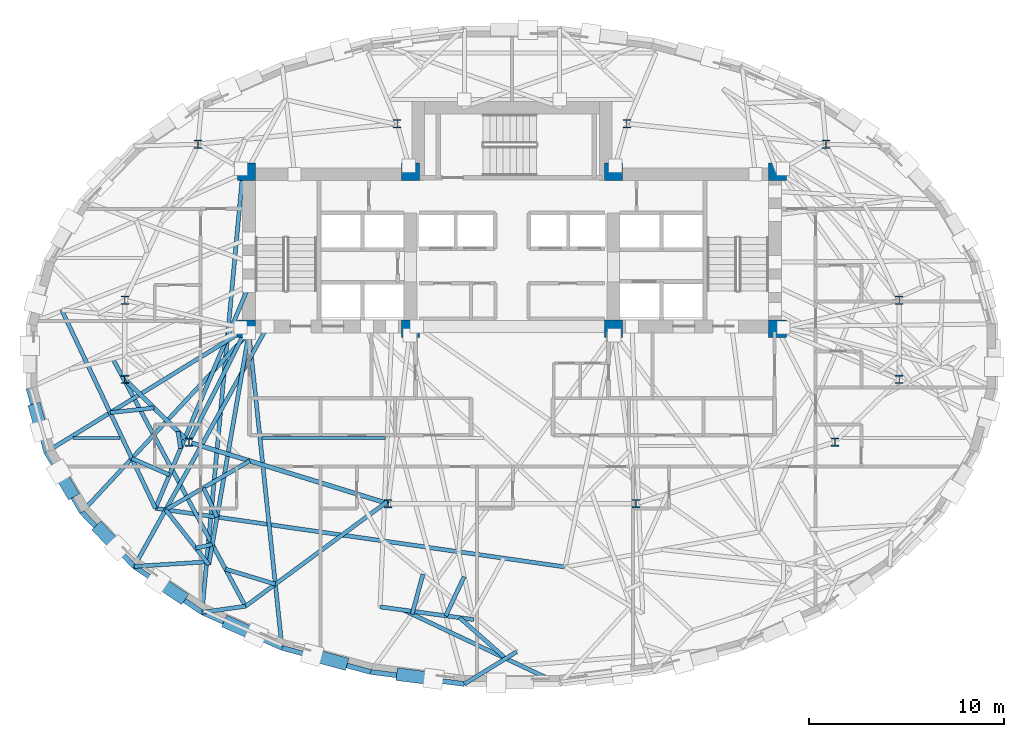
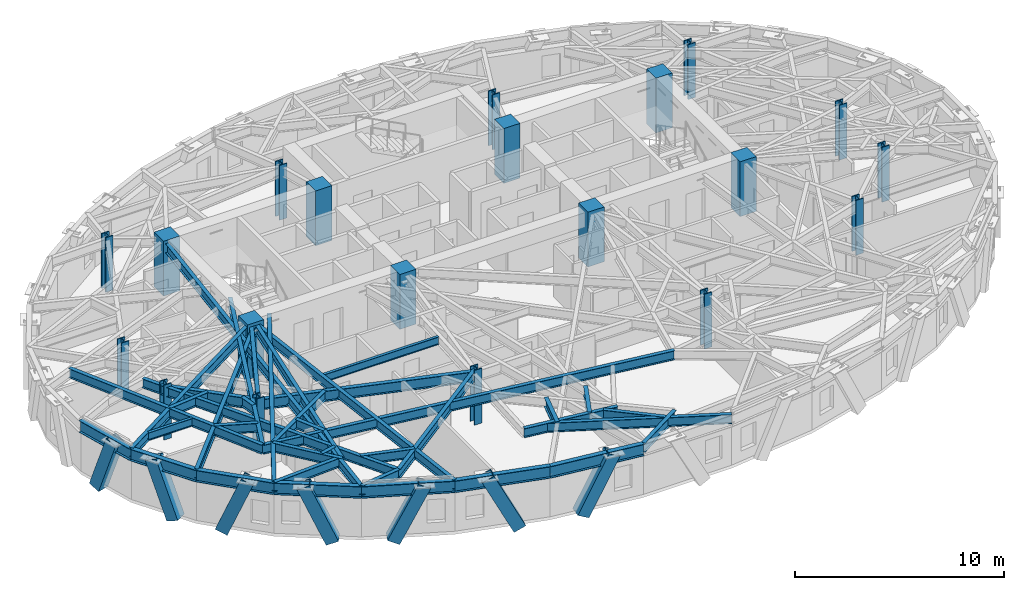
# One storey, part 1 of 15: 39 beams, 20 columns, 7 members.
"""IFC4 building model written with IfcOpenShell, lengths in metres."""

from ifc_helpers import new_model, si_unit, direction, frame, origin, origin_2d, place, context, subcontext, project, spatial, rectangle, hollow_rectangle, i_section, extrude, material, material_profile, profile_set, type_object, element, save


model = new_model("IFC4")

# Units and contexts
model_context = context("Model", 3, precision=1e-05, world=origin(), true_north=direction((0.0, 1.0)))
body_context = subcontext(model_context, "Body", "Model", "MODEL_VIEW")
ifc_project = project(units=[si_unit("LENGTHUNIT", "METRE"), si_unit("AREAUNIT", "SQUARE_METRE"), si_unit("VOLUMEUNIT", "CUBIC_METRE"), si_unit("PLANEANGLEUNIT", "RADIAN"), si_unit("MASSUNIT", "GRAM", prefix="KILO")], contexts=[model_context])

# Site, building, storey
site_placement = place(None, origin())
site = spatial("IfcSite", under=ifc_project, at=site_placement, CompositionType="ELEMENT")
building_placement = place(site_placement, origin())
building = spatial("IfcBuilding", under=site, at=building_placement, Name="Keldmark Tower", CompositionType="ELEMENT")
storey_placement = place(building_placement, frame((0.0, 0.0, 159.800048828125)))
storey = spatial("IfcBuildingStorey", under=building, at=storey_placement, Name="L43", CompositionType="ELEMENT", Elevation=159.800048828125)

# Columns
ifc_material_1 = material(Name="Concrete C50/60", Category="concrete")
ifc_material_profile_1 = material_profile(ifc_material_1, rectangle(XDim=0.89990234375, YDim=0.89990234375, at=origin_2d()), Name="RC900X900")
ifc_profile_set_1 = profile_set([ifc_material_profile_1], Name="Concrete C50/60")
column_type_1 = type_object("IfcColumnType", Name="Core Boundary Column RC900", PredefinedType="COLUMN", material=ifc_profile_set_1)
for number, where, z_axis, x_axis, name in (
    (1, (-13.60009765625, 1.39990234375, 0.0), (0.0, 0.0, 1.0), (1.0, 0.0, 0.0), "L43 Core Boundary Column CC-W1"),
    (2, (-13.60009765625, 9.449951171875, 0.0), (0.0, 0.0, 1.0), (1.0, 0.0, 0.0), "L43 Core Boundary Column CC-W2"),
    (3, (-5.199951171875, 1.39990234375, 0.0), (0.0, 0.0, 1.0), (1.0, 0.0, 0.0), "L43 Core Boundary Column CC-W3"),
    (4, (-5.199951171875, 9.449951171875, 0.0), (0.0, 0.0, 1.0), (1.0, 0.0, 0.0), "L43 Core Boundary Column CC-W4"),
    (5, (5.199951171875, 1.39990234375, 0.0), (0.0, 0.0, 1.0), (1.0, 0.0, 0.0), "L43 Core Boundary Column CC-E1"),
    (6, (5.199951171875, 9.449951171875, 0.0), (0.0, 0.0, 1.0), (1.0, 0.0, 0.0), "L43 Core Boundary Column CC-E2"),
    (7, (13.60009765625, 1.39990234375, 0.0), (0.0, 0.0, 1.0), (1.0, 0.0, 0.0), "L43 Core Boundary Column CC-E3"),
    (8, (13.60009765625, 9.449951171875, 0.0), (0.0, 0.0, 1.0), (1.0, 0.0, 0.0), "L43 Core Boundary Column CC-E4"),
):
    element("IfcColumn", number, at=place(storey_placement, frame(where, z_axis=z_axis, x_axis=x_axis)), inside=storey, type_object=column_type_1, Name=name, PredefinedType="COLUMN", context=body_context, shape_type="SweptSolid", body=[
        extrude(rectangle(XDim=0.89990234375, YDim=0.89990234375, at=origin_2d()), origin(), (0.0, 0.0, 1.0), 3.199951171875),
    ])
ifc_material_2 = material(Name="Steel ASTM A992 Grade 50", Category="steel")
ifc_material_profile_2 = material_profile(ifc_material_2, i_section(OverallWidth=0.412109375, OverallDepth=0.43505859375, WebThickness=0.035888671875, FlangeThickness=0.057373046875, at=origin_2d()), Name="W14X311")
ifc_profile_set_2 = profile_set([ifc_material_profile_2], Name="Steel ASTM A992 Grade 50")
column_type_2 = type_object("IfcColumnType", Name="Tower Gravity Column W14X311", PredefinedType="COLUMN", material=ifc_profile_set_2)
for number, where, z_axis, x_axis, name in (
    (9, (19.828369140625, 2.869140625, 0.0), (0.0, 0.0, 1.0), (1.0, 0.0, 0.0), "L43 Tower Gravity Column TC-E1"),
    (10, (16.08154296875, 10.861083984375, 0.0), (0.0, 0.0, 1.0), (1.0, 0.0, 0.0), "L43 Tower Gravity Column TC-E4"),
    (11, (5.880126953125, 11.915283203125, 0.0), (0.0, 0.0, 1.0), (1.0, 0.0, 0.0), "L43 Tower Gravity Column TC-N2"),
    (12, (-5.880126953125, 11.915283203125, 0.0), (0.0, 0.0, 1.0), (1.0, 0.0, 0.0), "L43 Tower Gravity Column TC-N1"),
    (13, (-16.08154296875, 10.861083984375, 0.0), (0.0, 0.0, 1.0), (1.0, 0.0, 0.0), "L43 Tower Gravity Column TC-W4"),
    (14, (-19.828369140625, 2.869140625, 0.0), (0.0, 0.0, 1.0), (1.0, 0.0, 0.0), "L43 Tower Gravity Column TC-W1"),
    (15, (-19.828369140625, -1.189208984375, 0.0), (0.0, 0.0, 1.0), (1.0, 0.0, 0.0), "L43 Tower Gravity Column TC-W5"),
    (16, (-16.546630859375, -4.3984375, 0.0), (0.0, 0.0, 1.0), (1.0, 0.0, 0.0), "L43 Tower Gravity Column TC-W2"),
    (17, (-6.351318359375, -7.546142578125, 0.0), (0.0, 0.0, 1.0), (1.0, 0.0, 0.0), "L43 Tower Gravity Column TC-W3"),
    (18, (6.351318359375, -7.546142578125, 0.0), (0.0, 0.0, 1.0), (1.0, 0.0, 0.0), "L43 Tower Gravity Column TC-E3"),
    (19, (16.546630859375, -4.3984375, 0.0), (0.0, 0.0, 1.0), (1.0, 0.0, 0.0), "L43 Tower Gravity Column TC-E2"),
    (20, (19.828369140625, -1.189208984375, 0.0), (0.0, 0.0, 1.0), (1.0, 0.0, 0.0), "L43 Tower Gravity Column TC-E5"),
):
    element("IfcColumn", number, at=place(storey_placement, frame(where, z_axis=z_axis, x_axis=x_axis)), inside=storey, type_object=column_type_2, Name=name, PredefinedType="COLUMN", context=body_context, shape_type="SweptSolid", body=[
        extrude(i_section(OverallWidth=0.412109375, OverallDepth=0.43505859375, WebThickness=0.035888671875, FlangeThickness=0.057373046875, at=origin_2d()), origin(), (0.0, 0.0, 1.0), 3.199951171875),
    ])

# Beams
ifc_material_3 = material(Name="Steel ASTM A992 Grade 50", Category="steel")
ifc_material_profile_3 = material_profile(ifc_material_3, i_section(OverallWidth=0.153076171875, OverallDepth=0.455078125, WebThickness=0.008056640625, FlangeThickness=0.01318359375, at=origin_2d()), Name="W18X40")
ifc_profile_set_3 = profile_set([ifc_material_profile_3], Name="Steel ASTM A992 Grade 50")
beam_type_1 = type_object("IfcBeamType", Name="Composite Floor Joist W18X40", PredefinedType="JOIST", material=ifc_profile_set_3)
beam_1_placement = place(storey_placement, frame((-22.488525390625, -4.179931640625, 2.79248046875), z_axis=(1.0, 0.0, 0.0), x_axis=(0.0, 1.0, 0.0)))
element("IfcBeam", 21, at=beam_1_placement, inside=storey, type_object=beam_type_1, Name="L43 Composite Floor Joist J01", PredefinedType="JOIST", context=body_context, shape_type="SweptSolid", body=[
    extrude(i_section(OverallWidth=0.153076171875, OverallDepth=0.455078125, WebThickness=0.008056640625, FlangeThickness=0.01318359375, at=origin_2d()), origin(), (0.0, 0.0, 1.0), 2.413330078125),
])
beam_2_placement = place(storey_placement, frame((-12.81298828125, -4.179931640625, 2.79248046875), z_axis=(1.0, 0.0, 0.0), x_axis=(0.0, 1.0, 0.0)))
element("IfcBeam", 22, at=beam_2_placement, inside=storey, type_object=beam_type_1, Name="L43 Composite Floor Joist J02", PredefinedType="JOIST", context=body_context, shape_type="SweptSolid", body=[
    extrude(i_section(OverallWidth=0.153076171875, OverallDepth=0.455078125, WebThickness=0.008056640625, FlangeThickness=0.01318359375, at=origin_2d()), origin(), (0.0, 0.0, 1.0), 6.324951171875),
])

# Members
ifc_material_4 = material(Name="Steel ASTM A572 Grade 50", Category="steel")
ifc_material_profile_4 = material_profile(ifc_material_4, hollow_rectangle(XDim=0.64990234375, YDim=0.64990234375, WallThickness=0.0400390625, at=origin_2d()), Name="BOX650X650X40")
ifc_profile_set_4 = profile_set([ifc_material_profile_4], Name="Steel ASTM A572 Grade 50")
member_type = type_object("IfcMemberType", Name="Diagrid Zone 3 Brace BOX650X650X40", PredefinedType="BRACE", material=ifc_profile_set_4)
member_1_placement = place(storey_placement, frame((-24.4033203125, -2.731689453125, -0.260009765625), z_axis=(0.090395452008, -0.323152823602, 0.942019593668), x_axis=(0.963031569275, 0.269388560595, 0.0)))
element("IfcMember", 23, at=member_1_placement, inside=storey, type_object=member_type, Name="L43 Perimeter Diagrid Brace 09A", PredefinedType="BRACE", context=body_context, shape_type="SweptSolid", body=[
    extrude(hollow_rectangle(XDim=0.64990234375, YDim=0.64990234375, WallThickness=0.0400390625, at=origin_2d()), origin(), (0.0, 0.0, 1.0), 3.3544921875),
])
member_2_placement = place(storey_placement, frame((-22.586181640625, -6.94091796875, -0.260009765625), z_axis=(-0.179634339939, 0.303896484951, 0.935616604357), x_axis=(-0.860853140724, -0.508853485894, 0.0)))
element("IfcMember", 24, at=member_2_placement, inside=storey, type_object=member_type, Name="L43 Perimeter Diagrid Brace 09B", PredefinedType="BRACE", context=body_context, shape_type="SweptSolid", body=[
    extrude(hollow_rectangle(XDim=0.64990234375, YDim=0.64990234375, WallThickness=0.0400390625, at=origin_2d()), origin(), (0.0, 0.0, 1.0), 3.37744140625),
])
member_3_placement = place(storey_placement, frame((-21.08837890625, -8.883056640625, -0.260009765625), z_axis=(0.262483667506, -0.271497824526, 0.925954240538), x_axis=(0.718941040515, 0.695071061304, 0.0)))
element("IfcMember", 25, at=member_3_placement, inside=storey, type_object=member_type, Name="L43 Perimeter Diagrid Brace 10A", PredefinedType="BRACE", context=body_context, shape_type="SweptSolid", body=[
    extrude(hollow_rectangle(XDim=0.64990234375, YDim=0.64990234375, WallThickness=0.0400390625, at=origin_2d()), origin(), (0.0, 0.0, 1.0), 3.41259765625),
])
member_4_placement = place(storey_placement, frame((-16.990234375, -12.294677734375, -0.260009765625), z_axis=(-0.334787205548, 0.226960005112, 0.914552722964), x_axis=(-0.56113396057, -0.827725001613, 0.0)))
element("IfcMember", 26, at=member_4_placement, inside=storey, type_object=member_type, Name="L43 Perimeter Diagrid Brace 10B", PredefinedType="BRACE", context=body_context, shape_type="SweptSolid", body=[
    extrude(hollow_rectangle(XDim=0.64990234375, YDim=0.64990234375, WallThickness=0.0400390625, at=origin_2d()), origin(), (0.0, 0.0, 1.0), 3.455078125),
])
member_5_placement = place(storey_placement, frame((-14.474853515625, -13.677490234375, -0.260009765625), z_axis=(0.390998466283, -0.173676225334, 0.903856608162), x_axis=(0.405941576502, 0.913899029689, 0.0)))
element("IfcMember", 27, at=member_5_placement, inside=storey, type_object=member_type, Name="L43 Perimeter Diagrid Brace 11A", PredefinedType="BRACE", context=body_context, shape_type="SweptSolid", body=[
    extrude(hollow_rectangle(XDim=0.64990234375, YDim=0.64990234375, WallThickness=0.0400390625, at=origin_2d()), origin(), (0.0, 0.0, 1.0), 3.49609375),
])
member_6_placement = place(storey_placement, frame((-8.72265625, -15.707763671875, -0.260009765625), z_axis=(-0.429124287044, 0.116606099608, 0.895687090341), x_axis=(-0.262221871512, -0.965007611421, 0.0)))
element("IfcMember", 28, at=member_6_placement, inside=storey, type_object=member_type, Name="L43 Perimeter Diagrid Brace 11B", PredefinedType="BRACE", context=body_context, shape_type="SweptSolid", body=[
    extrude(hollow_rectangle(XDim=0.64990234375, YDim=0.64990234375, WallThickness=0.0400390625, at=origin_2d()), origin(), (0.0, 0.0, 1.0), 3.52783203125),
])
member_7_placement = place(storey_placement, frame((-5.620361328125, -16.31982421875, -0.260009765625), z_axis=(0.450833688803, -0.057945651957, 0.890725146417), x_axis=(0.127481315617, 0.991840972217, 0.0)))
element("IfcMember", 29, at=member_7_placement, inside=storey, type_object=member_type, Name="L43 Perimeter Diagrid Brace 12A", PredefinedType="BRACE", context=body_context, shape_type="SweptSolid", body=[
    extrude(hollow_rectangle(XDim=0.64990234375, YDim=0.64990234375, WallThickness=0.0400390625, at=origin_2d()), origin(), (0.0, 0.0, 1.0), 3.547607421875),
])

# Beams
ifc_material_5 = material(Name="Steel ASTM A992 Grade 50", Category="steel")
ifc_material_profile_5 = material_profile(ifc_material_5, i_section(OverallWidth=0.22900390625, OverallDepth=0.612060546875, WebThickness=0.011962890625, FlangeThickness=0.01953125, at=origin_2d()), Name="W24X84")
ifc_profile_set_5 = profile_set([ifc_material_profile_5], Name="Steel ASTM A992 Grade 50")
beam_type_2 = type_object("IfcBeamType", Name="Primary Floor Girder W24X84", PredefinedType="BEAM", material=ifc_profile_set_5)
beam_3_placement = place(storey_placement, frame((-19.728271484375, -1.287109375, 2.7138671875), z_axis=(0.714964509815, -0.699160746684, 0.0), x_axis=(0.699160746684, 0.714964509815, 0.0)))
element("IfcBeam", 30, at=beam_3_placement, inside=storey, type_object=beam_type_2, Name="L43 Floor Ring Girder FG-R07", PredefinedType="BEAM", context=body_context, shape_type="SweptSolid", body=[
    extrude(i_section(OverallWidth=0.22900390625, OverallDepth=0.612060546875, WebThickness=0.011962890625, FlangeThickness=0.01953125, at=origin_2d()), origin(), (0.0, 0.0, 1.0), 4.31005859375),
])
beam_4_placement = place(storey_placement, frame((-16.412841796875, -4.439697265625, 2.7138671875), z_axis=(0.955494563145, -0.295008711398, 0.0), x_axis=(0.295008711398, 0.955494563145, 0.0)))
element("IfcBeam", 31, at=beam_4_placement, inside=storey, type_object=beam_type_2, Name="L43 Floor Ring Girder FG-R08", PredefinedType="BEAM", context=body_context, shape_type="SweptSolid", body=[
    extrude(i_section(OverallWidth=0.22900390625, OverallDepth=0.612060546875, WebThickness=0.011962890625, FlangeThickness=0.01953125, at=origin_2d()), origin(), (0.0, 0.0, 1.0), 10.39013671875),
])
ifc_material_6 = material(Name="Steel ASTM A992 Grade 50", Category="steel")
ifc_material_profile_6 = material_profile(ifc_material_6, i_section(OverallWidth=0.2099609375, OverallDepth=0.537109375, WebThickness=0.010986328125, FlangeThickness=0.017333984375, at=origin_2d()), Name="W21X68")
ifc_profile_set_6 = profile_set([ifc_material_profile_6], Name="Steel ASTM A992 Grade 50")
beam_type_3 = type_object("IfcBeamType", Name="Radial Tie Girder W21X68", PredefinedType="BEAM", material=ifc_profile_set_6)
beam_5_placement = place(storey_placement, frame((-16.4833984375, -4.273681640625, 2.75146484375), z_axis=(0.453036691775, 0.891491870914, 0.0), x_axis=(-0.891491870914, 0.453036691775, 0.0)))
element("IfcBeam", 32, at=beam_5_placement, inside=storey, type_object=beam_type_3, Name="L43 Floor Radial Girder FG-C08", PredefinedType="BEAM", context=body_context, shape_type="SweptSolid", body=[
    extrude(i_section(OverallWidth=0.2099609375, OverallDepth=0.537109375, WebThickness=0.010986328125, FlangeThickness=0.017333984375, at=origin_2d()), origin(), (0.0, 0.0, 1.0), 6.044189453125),
])
beam_6_placement = place(storey_placement, frame((-17.10888671875, -3.8486328125, 2.75146484375), z_axis=(0.151059193006, -0.988524719068, 0.0), x_axis=(0.988524719068, 0.151059193006, 0.0)))
element("IfcBeam", 33, at=beam_6_placement, inside=storey, type_object=beam_type_3, Name="L43 Framing Pin Header PH-006", PredefinedType="BEAM", context=body_context, shape_type="SweptSolid", body=[
    extrude(i_section(OverallWidth=0.2099609375, OverallDepth=0.537109375, WebThickness=0.010986328125, FlangeThickness=0.017333984375, at=origin_2d()), origin(), (0.0, 0.0, 1.0), 0.88232421875),
])
beam_7_placement = place(storey_placement, frame((-13.47509765625, 3.6142578125, 2.75146484375), z_axis=(-0.387184823209, -0.922002121839, 0.0), x_axis=(0.922002121839, -0.387184823209, 0.0)))
element("IfcBeam", 34, at=beam_7_placement, inside=storey, type_object=beam_type_3, Name="L43 Sub-Ring Step Girder STP2-M08", PredefinedType="BEAM", context=body_context, shape_type="SweptSolid", body=[
    extrude(i_section(OverallWidth=0.2099609375, OverallDepth=0.537109375, WebThickness=0.010986328125, FlangeThickness=0.017333984375, at=origin_2d()), origin(), (0.0, 0.0, 1.0), 12.366455078125),
])
beam_8_placement = place(storey_placement, frame((-23.061767578125, 2.364013671875, 2.75146484375), z_axis=(0.42735344436, -0.904084638512, 0.0), x_axis=(0.904084638512, 0.42735344436, 0.0)))
element("IfcBeam", 35, at=beam_8_placement, inside=storey, type_object=beam_type_3, Name="L43 Perimeter Collector Ring Beam CRG2-M07", PredefinedType="BEAM", context=body_context, shape_type="SweptSolid", body=[
    extrude(i_section(OverallWidth=0.2099609375, OverallDepth=0.537109375, WebThickness=0.010986328125, FlangeThickness=0.017333984375, at=origin_2d()), origin(), (0.0, 0.0, 1.0), 11.228515625),
])
beam_9_placement = place(storey_placement, frame((-18.26318359375, -7.78759765625, 2.75146484375), z_axis=(0.989880746526, -0.141901753539, 0.0), x_axis=(0.141901753539, 0.989880746526, 0.0)))
element("IfcBeam", 36, at=beam_9_placement, inside=storey, type_object=beam_type_3, Name="L43 Perimeter Collector Ring Beam CRG2-M08", PredefinedType="BEAM", context=body_context, shape_type="SweptSolid", body=[
    extrude(i_section(OverallWidth=0.2099609375, OverallDepth=0.537109375, WebThickness=0.010986328125, FlangeThickness=0.017333984375, at=origin_2d()), origin(), (0.0, 0.0, 1.0), 21.20166015625),
])
beam_10_placement = place(storey_placement, frame((-18.341552734375, -2.643310546875, 2.75146484375), z_axis=(-0.993966802091, -0.109681339982, 0.0), x_axis=(0.109681339982, -0.993966802091, 0.0)))
element("IfcBeam", 37, at=beam_10_placement, inside=storey, type_object=beam_type_3, Name="L43 Framing Pin Header PH-015", PredefinedType="BEAM", context=body_context, shape_type="SweptSolid", body=[
    extrude(i_section(OverallWidth=0.2099609375, OverallDepth=0.537109375, WebThickness=0.010986328125, FlangeThickness=0.017333984375, at=origin_2d()), origin(), (0.0, 0.0, 1.0), 2.25048828125),
])
beam_11_placement = place(storey_placement, frame((-13.60009765625, 1.39990234375, 2.75146484375), z_axis=(-0.851889377542, -0.523721766237, 0.0), x_axis=(0.523721766237, -0.851889377542, 0.0)))
element("IfcBeam", 38, at=beam_11_placement, inside=storey, type_object=beam_type_3, Name="L43 Perimeter Radial Tie Girder RT-18", PredefinedType="BEAM", context=body_context, shape_type="SweptSolid", body=[
    extrude(i_section(OverallWidth=0.2099609375, OverallDepth=0.537109375, WebThickness=0.010986328125, FlangeThickness=0.017333984375, at=origin_2d()), origin(), (0.0, 0.0, 1.0), 12.0400390625),
])
beam_12_placement = place(storey_placement, frame((-17.545166015625, -6.077392578125, 2.75146484375), z_axis=(-0.915749251717, 0.401750305513, 0.0), x_axis=(-0.401750305513, -0.915749251717, 0.0)))
element("IfcBeam", 39, at=beam_12_placement, inside=storey, type_object=beam_type_3, Name="L43 Framing Pin Header PH-016", PredefinedType="BEAM", context=body_context, shape_type="SweptSolid", body=[
    extrude(i_section(OverallWidth=0.2099609375, OverallDepth=0.537109375, WebThickness=0.010986328125, FlangeThickness=0.017333984375, at=origin_2d()), origin(), (0.0, 0.0, 1.0), 2.103271484375),
])
beam_13_placement = place(storey_placement, frame((-13.47509765625, 1.199951171875, 2.75146484375), z_axis=(-0.68187128717, -0.731472178372, 0.0), x_axis=(0.731472178372, -0.68187128717, 0.0)))
element("IfcBeam", 40, at=beam_13_placement, inside=storey, type_object=beam_type_3, Name="L43 Perimeter Radial Tie Girder RT-19", PredefinedType="BEAM", context=body_context, shape_type="SweptSolid", body=[
    extrude(i_section(OverallWidth=0.2099609375, OverallDepth=0.537109375, WebThickness=0.010986328125, FlangeThickness=0.017333984375, at=origin_2d()), origin(), (0.0, 0.0, 1.0), 12.556396484375),
])
beam_14_placement = place(storey_placement, frame((-13.4345703125, -5.359375, 2.75146484375), z_axis=(-0.86439716322, -0.502809650083, 0.0), x_axis=(0.502809650083, -0.86439716322, 0.0)))
element("IfcBeam", 41, at=beam_14_placement, inside=storey, type_object=beam_type_3, Name="L43 Framing Pin Header PH-017", PredefinedType="BEAM", context=body_context, shape_type="SweptSolid", body=[
    extrude(i_section(OverallWidth=0.2099609375, OverallDepth=0.537109375, WebThickness=0.010986328125, FlangeThickness=0.017333984375, at=origin_2d()), origin(), (0.0, 0.0, 1.0), 4.978759765625),
])
beam_15_placement = place(storey_placement, frame((-12.52490234375, 1.52490234375, 2.75146484375), z_axis=(-0.485502839655, -0.874235090057, 0.0), x_axis=(0.874235090057, -0.485502839655, 0.0)))
element("IfcBeam", 42, at=beam_15_placement, inside=storey, type_object=beam_type_3, Name="L43 Perimeter Radial Tie Girder RT-20", PredefinedType="BEAM", context=body_context, shape_type="SweptSolid", body=[
    extrude(i_section(OverallWidth=0.2099609375, OverallDepth=0.537109375, WebThickness=0.010986328125, FlangeThickness=0.017333984375, at=origin_2d()), origin(), (0.0, 0.0, 1.0), 14.057373046875),
])
beam_16_placement = place(storey_placement, frame((-15.801513671875, -6.736083984375, 2.75146484375), z_axis=(0.418497022702, -0.908218168718, 0.0), x_axis=(0.908218168718, 0.418497022702, 0.0)))
element("IfcBeam", 43, at=beam_16_placement, inside=storey, type_object=beam_type_3, Name="L43 Framing Pin Header PH-018", PredefinedType="BEAM", context=body_context, shape_type="SweptSolid", body=[
    extrude(i_section(OverallWidth=0.2099609375, OverallDepth=0.537109375, WebThickness=0.010986328125, FlangeThickness=0.017333984375, at=origin_2d()), origin(), (0.0, 0.0, 1.0), 1.655517578125),
])
beam_17_placement = place(storey_placement, frame((-13.47509765625, 1.199951171875, 2.75146484375), z_axis=(-0.170520248279, -0.985354172329, 0.0), x_axis=(0.985354172329, -0.170520248279, 0.0)))
element("IfcBeam", 44, at=beam_17_placement, inside=storey, type_object=beam_type_3, Name="L43 Intermediate Radial Step Girder RT-21M", PredefinedType="BEAM", context=body_context, shape_type="SweptSolid", body=[
    extrude(i_section(OverallWidth=0.2099609375, OverallDepth=0.537109375, WebThickness=0.010986328125, FlangeThickness=0.017333984375, at=origin_2d()), origin(), (0.0, 0.0, 1.0), 12.049560546875),
])
beam_18_placement = place(storey_placement, frame((-17.73828125, -7.86279296875, 2.75146484375), z_axis=(0.617890932331, -0.786263820701, 0.0), x_axis=(0.786263820701, 0.617890932331, 0.0)))
element("IfcBeam", 45, at=beam_18_placement, inside=storey, type_object=beam_type_3, Name="L43 Local Collector Chord RT-21C", PredefinedType="BEAM", context=body_context, shape_type="SweptSolid", body=[
    extrude(i_section(OverallWidth=0.2099609375, OverallDepth=0.537109375, WebThickness=0.010986328125, FlangeThickness=0.017333984375, at=origin_2d()), origin(), (0.0, 0.0, 1.0), 3.57421875),
])
beam_19_placement = place(storey_placement, frame((-19.349853515625, -10.7646484375, 2.75146484375), z_axis=(0.998042853963, 0.06253368415, 0.0), x_axis=(-0.06253368415, 0.998042853963, 0.0)))
element("IfcBeam", 46, at=beam_19_placement, inside=storey, type_object=beam_type_3, Name="L43 Framing Pin Header PH-019", PredefinedType="BEAM", context=body_context, shape_type="SweptSolid", body=[
    extrude(i_section(OverallWidth=0.2099609375, OverallDepth=0.537109375, WebThickness=0.010986328125, FlangeThickness=0.017333984375, at=origin_2d()), origin(), (0.0, 0.0, 1.0), 3.716796875),
])
beam_20_placement = place(storey_placement, frame((-13.800048828125, 9.324951171875, 2.75146484375), z_axis=(-0.092281945607, -0.99573291726, 0.0), x_axis=(0.99573291726, -0.092281945607, 0.0)))
element("IfcBeam", 47, at=beam_20_placement, inside=storey, type_object=beam_type_3, Name="L43 Perimeter Radial Tie Girder RT-21", PredefinedType="BEAM", context=body_context, shape_type="SweptSolid", body=[
    extrude(i_section(OverallWidth=0.2099609375, OverallDepth=0.537109375, WebThickness=0.010986328125, FlangeThickness=0.017333984375, at=origin_2d()), origin(), (0.0, 0.0, 1.0), 22.537841796875),
])
beam_21_placement = place(storey_placement, frame((-16.1923828125, -9.830078125, 2.75146484375), z_axis=(0.975279944922, 0.220972914704, 0.0), x_axis=(-0.220972914704, 0.975279944922, 0.0)))
element("IfcBeam", 48, at=beam_21_placement, inside=storey, type_object=beam_type_3, Name="L43 Framing Pin Header PH-020", PredefinedType="BEAM", context=body_context, shape_type="SweptSolid", body=[
    extrude(i_section(OverallWidth=0.2099609375, OverallDepth=0.537109375, WebThickness=0.010986328125, FlangeThickness=0.017333984375, at=origin_2d()), origin(), (0.0, 0.0, 1.0), 0.86279296875),
])
beam_22_placement = place(storey_placement, frame((-20.449462890625, -0.123779296875, 2.75146484375), z_axis=(0.472291573238, -0.881442380334, 0.0), x_axis=(0.881442380334, 0.472291573238, 0.0)))
element("IfcBeam", 49, at=beam_22_placement, inside=storey, type_object=beam_type_3, Name="L43 Intermediate Radial Step Girder RT-22M", PredefinedType="BEAM", context=body_context, shape_type="SweptSolid", body=[
    extrude(i_section(OverallWidth=0.2099609375, OverallDepth=0.537109375, WebThickness=0.010986328125, FlangeThickness=0.017333984375, at=origin_2d()), origin(), (0.0, 0.0, 1.0), 14.3876953125),
])
beam_23_placement = place(storey_placement, frame((-15.8798828125, -13.11669921875, 2.75146484375), z_axis=(0.990375132926, 0.138409161842, 0.0), x_axis=(-0.138409161842, 0.990375132926, 0.0)))
element("IfcBeam", 50, at=beam_23_placement, inside=storey, type_object=beam_type_3, Name="L43 Local Collector Chord RT-22C", PredefinedType="BEAM", context=body_context, shape_type="SweptSolid", body=[
    extrude(i_section(OverallWidth=0.2099609375, OverallDepth=0.537109375, WebThickness=0.010986328125, FlangeThickness=0.017333984375, at=origin_2d()), origin(), (0.0, 0.0, 1.0), 2.247314453125),
])
beam_24_placement = place(storey_placement, frame((-6.759033203125, -12.83837890625, 2.75146484375), z_axis=(0.99089057822, -0.134669454571, 0.0), x_axis=(0.134669454571, 0.99089057822, 0.0)))
element("IfcBeam", 51, at=beam_24_placement, inside=storey, type_object=beam_type_3, Name="L43 Local Collector Chord RT-24C", PredefinedType="BEAM", context=body_context, shape_type="SweptSolid", body=[
    extrude(i_section(OverallWidth=0.2099609375, OverallDepth=0.537109375, WebThickness=0.010986328125, FlangeThickness=0.017333984375, at=origin_2d()), origin(), (0.0, 0.0, 1.0), 4.836669921875),
])
beam_25_placement = place(storey_placement, frame((-2.451416015625, -11.286376953125, 2.75146484375), z_axis=(-0.423060183444, -0.906101584363, 0.0), x_axis=(0.906101584363, -0.423060183444, 0.0)))
element("IfcBeam", 52, at=beam_25_placement, inside=storey, type_object=beam_type_3, Name="L43 Framing Pin Header PH-023", PredefinedType="BEAM", context=body_context, shape_type="SweptSolid", body=[
    extrude(i_section(OverallWidth=0.2099609375, OverallDepth=0.537109375, WebThickness=0.010986328125, FlangeThickness=0.017333984375, at=origin_2d()), origin(), (0.0, 0.0, 1.0), 2.21826171875),
])
beam_26_placement = place(storey_placement, frame((-2.439208984375, -16.7880859375, 2.75146484375), z_axis=(0.851276700656, 0.524717046531, 0.0), x_axis=(-0.524717046531, 0.851276700656, 0.0)))
element("IfcBeam", 53, at=beam_26_placement, inside=storey, type_object=beam_type_3, Name="L43 Local Collector Chord RT-25C", PredefinedType="BEAM", context=body_context, shape_type="SweptSolid", body=[
    extrude(i_section(OverallWidth=0.2099609375, OverallDepth=0.537109375, WebThickness=0.010986328125, FlangeThickness=0.017333984375, at=origin_2d()), origin(), (0.0, 0.0, 1.0), 3.14306640625),
])
beam_27_placement = place(storey_placement, frame((-2.685302734375, -13.39208984375, 2.75146484375), z_axis=(0.749386209954, -0.662133150001, 0.0), x_axis=(0.662133150001, 0.749386209954, 0.0)))
element("IfcBeam", 54, at=beam_27_placement, inside=storey, type_object=beam_type_3, Name="L43 Framing Pin Header PH-025", PredefinedType="BEAM", context=body_context, shape_type="SweptSolid", body=[
    extrude(i_section(OverallWidth=0.2099609375, OverallDepth=0.537109375, WebThickness=0.010986328125, FlangeThickness=0.017333984375, at=origin_2d()), origin(), (0.0, 0.0, 1.0), 3.15625),
])
beam_28_placement = place(storey_placement, frame((-5.560791015625, -13.001220703125, 2.75146484375), z_axis=(0.903851822257, -0.427845630342, 0.0), x_axis=(0.427845630342, 0.903851822257, 0.0)))
element("IfcBeam", 55, at=beam_28_placement, inside=storey, type_object=beam_type_3, Name="L43 Perimeter Radial Tie Girder RT-25", PredefinedType="BEAM", context=body_context, shape_type="SweptSolid", body=[
    extrude(i_section(OverallWidth=0.2099609375, OverallDepth=0.537109375, WebThickness=0.010986328125, FlangeThickness=0.017333984375, at=origin_2d()), origin(), (0.0, 0.0, 1.0), 8.85107421875),
])
beam_29_placement = place(storey_placement, frame((-13.654296875, -12.8056640625, 2.75146484375), z_axis=(0.804846658132, 0.593482819375, 0.0), x_axis=(-0.593482819375, 0.804846658132, 0.0)))
element("IfcBeam", 56, at=beam_29_placement, inside=storey, type_object=beam_type_3, Name="L43 Straddling Support Chord RT-22RB", PredefinedType="BEAM", context=body_context, shape_type="SweptSolid", body=[
    extrude(i_section(OverallWidth=0.2099609375, OverallDepth=0.537109375, WebThickness=0.010986328125, FlangeThickness=0.017333984375, at=origin_2d()), origin(), (0.0, 0.0, 1.0), 9.09619140625),
])
beam_30_placement = place(storey_placement, frame((-14.673583984375, -10.9033203125, 2.75146484375), z_axis=(0.957132932409, -0.289649011214, 0.0), x_axis=(0.289649011214, 0.957132932409, 0.0)))
element("IfcBeam", 57, at=beam_30_placement, inside=storey, type_object=beam_type_3, Name="L43 Framing Pin Header PH-040", PredefinedType="BEAM", context=body_context, shape_type="SweptSolid", body=[
    extrude(i_section(OverallWidth=0.2099609375, OverallDepth=0.537109375, WebThickness=0.010986328125, FlangeThickness=0.017333984375, at=origin_2d()), origin(), (0.0, 0.0, 1.0), 2.666015625),
])
beam_31_placement = place(storey_placement, frame((-13.47509765625, 1.199951171875, 2.75146484375), z_axis=(0.104535977391, -0.994521105573, 0.0), x_axis=(0.994521105573, 0.104535977391, 0.0)))
element("IfcBeam", 58, at=beam_31_placement, inside=storey, type_object=beam_type_3, Name="L43 Perimeter Radial Tie Girder RT-22R", PredefinedType="BEAM", context=body_context, shape_type="SweptSolid", body=[
    extrude(i_section(OverallWidth=0.2099609375, OverallDepth=0.537109375, WebThickness=0.010986328125, FlangeThickness=0.017333984375, at=origin_2d()), origin(), (0.0, 0.0, 1.0), 16.226806640625),
])
beam_32_placement = place(storey_placement, frame((-4.56005859375, -11.161865234375, 2.75146484375), z_axis=(-0.262446171784, -0.964946634232, 0.0), x_axis=(0.964946634232, -0.262446171784, 0.0)))
element("IfcBeam", 59, at=beam_32_placement, inside=storey, type_object=beam_type_3, Name="L43 Framing Pin Header PH-041", PredefinedType="BEAM", context=body_context, shape_type="SweptSolid", body=[
    extrude(i_section(OverallWidth=0.2099609375, OverallDepth=0.537109375, WebThickness=0.010986328125, FlangeThickness=0.017333984375, at=origin_2d()), origin(), (0.0, 0.0, 1.0), 2.123779296875),
])
ifc_material_7 = material(Name="Steel ASTM A992 Grade 50", Category="steel")
ifc_material_profile_7 = material_profile(ifc_material_7, i_section(OverallWidth=0.256103515625, OverallDepth=0.693115234375, WebThickness=0.014404296875, FlangeThickness=0.023681640625, at=origin_2d()), Name="W27X114")
ifc_profile_set_7 = profile_set([ifc_material_profile_7], Name="Steel ASTM A992 Grade 50")
beam_type_4 = type_object("IfcBeamType", Name="Spandrel Ring Beam W27X114", PredefinedType="SPANDREL", material=ifc_profile_set_7)
beam_33_placement = place(storey_placement, frame((-24.76611328125, -1.653564453125, 2.67333984375), z_axis=(0.269235699479, -0.963074315993, 0.0), x_axis=(0.963074315993, 0.269235699479, 0.0)))
element("IfcBeam", 60, at=beam_33_placement, inside=storey, type_object=beam_type_4, Name="L43 Perimeter Spandrel Ring Beam SRB-17", PredefinedType="SPANDREL", context=body_context, shape_type="SweptSolid", body=[
    extrude(i_section(OverallWidth=0.256103515625, OverallDepth=0.693115234375, WebThickness=0.014404296875, FlangeThickness=0.023681640625, at=origin_2d()), origin(), (0.0, 0.0, 1.0), 3.376953125),
])
beam_34_placement = place(storey_placement, frame((-23.85693359375, -4.90576171875, 2.67333984375), z_axis=(0.508883387051, -0.860835465338, 0.0), x_axis=(0.860835465338, 0.508883387051, 0.0)))
element("IfcBeam", 61, at=beam_34_placement, inside=storey, type_object=beam_type_4, Name="L43 Perimeter Spandrel Ring Beam SRB-18", PredefinedType="SPANDREL", context=body_context, shape_type="SweptSolid", body=[
    extrude(i_section(OverallWidth=0.256103515625, OverallDepth=0.693115234375, WebThickness=0.014404296875, FlangeThickness=0.023681640625, at=origin_2d()), origin(), (0.0, 0.0, 1.0), 3.57666015625),
])
beam_35_placement = place(storey_placement, frame((-22.036865234375, -7.984619140625, 2.67333984375), z_axis=(0.694975307772, -0.719033602544, 0.0), x_axis=(0.719033602544, 0.694975307772, 0.0)))
element("IfcBeam", 62, at=beam_35_placement, inside=storey, type_object=beam_type_4, Name="L43 Perimeter Spandrel Ring Beam SRB-19", PredefinedType="SPANDREL", context=body_context, shape_type="SweptSolid", body=[
    extrude(i_section(OverallWidth=0.256103515625, OverallDepth=0.693115234375, WebThickness=0.014404296875, FlangeThickness=0.023681640625, at=origin_2d()), origin(), (0.0, 0.0, 1.0), 3.866455078125),
])
beam_36_placement = place(storey_placement, frame((-19.349853515625, -10.7646484375, 2.67333984375), z_axis=(0.827760762475, -0.561081206338, 0.0), x_axis=(0.561081206338, 0.827760762475, 0.0)))
element("IfcBeam", 63, at=beam_36_placement, inside=storey, type_object=beam_type_4, Name="L43 Perimeter Spandrel Ring Beam SRB-20", PredefinedType="SPANDREL", context=body_context, shape_type="SweptSolid", body=[
    extrude(i_section(OverallWidth=0.256103515625, OverallDepth=0.693115234375, WebThickness=0.014404296875, FlangeThickness=0.023681640625, at=origin_2d()), origin(), (0.0, 0.0, 1.0), 4.19189453125),
])
beam_37_placement = place(storey_placement, frame((-15.8798828125, -13.11669921875, 2.67333984375), z_axis=(0.913928177397, -0.405875949719, 0.0), x_axis=(0.405875949719, 0.913928177397, 0.0)))
element("IfcBeam", 64, at=beam_37_placement, inside=storey, type_object=beam_type_4, Name="L43 Perimeter Spandrel Ring Beam SRB-21", PredefinedType="SPANDREL", context=body_context, shape_type="SweptSolid", body=[
    extrude(i_section(OverallWidth=0.256103515625, OverallDepth=0.693115234375, WebThickness=0.014404296875, FlangeThickness=0.023681640625, at=origin_2d()), origin(), (0.0, 0.0, 1.0), 4.4873046875),
])
beam_38_placement = place(storey_placement, frame((-11.77880859375, -14.93798828125, 2.67333984375), z_axis=(0.965024302167, -0.26216043986, 0.0), x_axis=(0.26216043986, 0.965024302167, 0.0)))
element("IfcBeam", 65, at=beam_38_placement, inside=storey, type_object=beam_type_4, Name="L43 Perimeter Spandrel Ring Beam SRB-22", PredefinedType="SPANDREL", context=body_context, shape_type="SweptSolid", body=[
    extrude(i_section(OverallWidth=0.256103515625, OverallDepth=0.693115234375, WebThickness=0.014404296875, FlangeThickness=0.023681640625, at=origin_2d()), origin(), (0.0, 0.0, 1.0), 4.70654296875),
])
beam_39_placement = place(storey_placement, frame((-7.23681640625, -16.171875, 2.67333984375), z_axis=(0.991852091732, -0.127394772761, 0.0), x_axis=(0.127394772761, 0.991852091732, 0.0)))
element("IfcBeam", 66, at=beam_39_placement, inside=storey, type_object=beam_type_4, Name="L43 Perimeter Spandrel Ring Beam SRB-23", PredefinedType="SPANDREL", context=body_context, shape_type="SweptSolid", body=[
    extrude(i_section(OverallWidth=0.256103515625, OverallDepth=0.693115234375, WebThickness=0.014404296875, FlangeThickness=0.023681640625, at=origin_2d()), origin(), (0.0, 0.0, 1.0), 4.8369140625),
])

save(model, "model.ifc")
